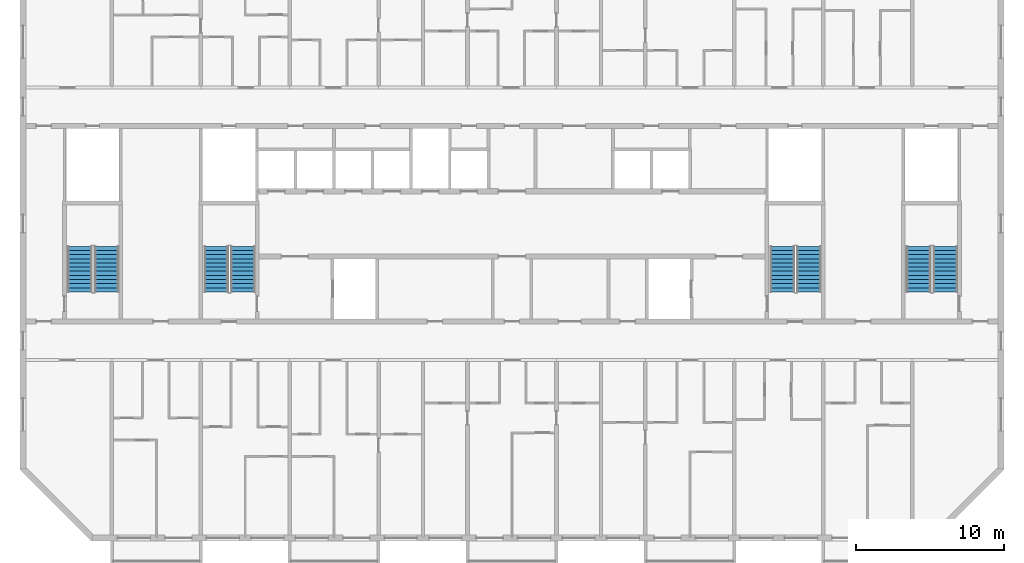
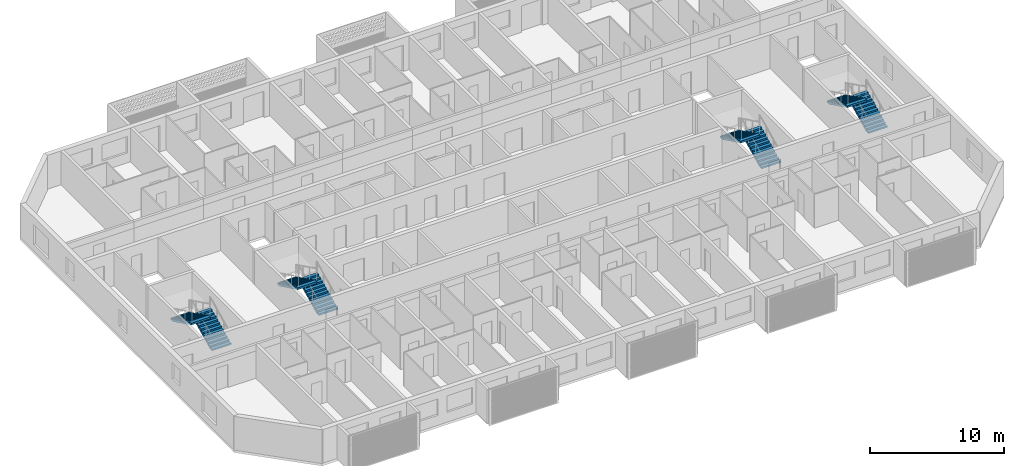
# One storey, part 11 of 26: 8 stair flights, 4 elements without a shape of their own.
"""IFC4 building model written with IfcOpenShell, lengths in metres."""

from ifc_helpers import new_model, si_unit, direction, frame, origin, place, context, subcontext, project, spatial, polyline, outline, extrude, material, layer, layer_set, type_object, element, aggregate, save


model = new_model("IFC4")

# Units and contexts
model_context = context("Model", 3, precision=1e-05, world=origin(), true_north=direction((0.0, 1.0)))
body_context = subcontext(model_context, "Body", "Model", "MODEL_VIEW")
ifc_project = project(units=[si_unit("LENGTHUNIT", "METRE"), si_unit("AREAUNIT", "SQUARE_METRE"), si_unit("VOLUMEUNIT", "CUBIC_METRE"), si_unit("PLANEANGLEUNIT", "RADIAN"), si_unit("MASSUNIT", "GRAM", prefix="KILO")], contexts=[model_context])

# Site, building, storey
site_placement = place(None, origin())
site = spatial("IfcSite", under=ifc_project, at=site_placement, CompositionType="ELEMENT")
building_placement = place(site_placement, origin())
building = spatial("IfcBuilding", under=site, at=building_placement, Name="Poui Terraces", CompositionType="ELEMENT")
storey_placement = place(building_placement, frame((0.0, 0.0, 228.0)))
storey = spatial("IfcBuildingStorey", under=building, at=storey_placement, Name="L63", CompositionType="ELEMENT", Elevation=228.0)

# Stair, stair flights
ifc_material = material(Name="Concrete 50 MPa", Category="concrete")
stair_type = type_object("IfcStairType", Name="EXIT STAIR 1650 50 MPA", PredefinedType="HALF_TURN_STAIR", material=ifc_material)
stair_1_placement = place(storey_placement, origin())
stair_1 = element("IfcStair", 1, at=stair_1_placement, inside=storey, type_object=stair_type, Name="L63 CORE STAIR EAST", PredefinedType="HALF_TURN_STAIR")
ifc_layer = layer(ifc_material, 0.14990234375)
ifc_layer_set = layer_set([ifc_layer], Name="Concrete 50 MPa")
stair_flight_type = type_object("IfcStairFlightType", Name="STAIR FLIGHT 12 RISERS 138 RISE 50 MPA", PredefinedType="STRAIGHT", material=ifc_layer_set)
stair_flight_1_placement = place(storey_placement, frame((71.050048828125, 16.60009765625, 0.0), z_axis=(0.0, 0.0, 1.0), x_axis=(0.0, 1.0, 0.0)))
stair_flight_1 = element("IfcStairFlight", 2, at=stair_flight_1_placement, type_object=stair_flight_type, Name="ST-CE flight 1", NumberOfRisers=12, NumberOfTreads=11, PredefinedType="STRAIGHT", RiserHeight=0.1375, TreadLength=0.28, context=body_context, shape_type="SweptSolid", body=[
    extrude(outline(polyline([(0.0, 0.0), (0.0, 0.137451171875), (0.280029296875, 0.137451171875), (0.280029296875, 0.27490234375), (0.56005859375, 0.27490234375), (0.56005859375, 0.41259765625), (0.840087890625, 0.41259765625), (0.840087890625, 0.550048828125), (1.1201171875, 0.550048828125), (1.1201171875, 0.6875), (1.39990234375, 0.6875), (1.39990234375, 0.824951171875), (1.679931640625, 0.824951171875), (1.679931640625, 0.96240234375), (1.9599609375, 0.96240234375), (1.9599609375, 1.10009765625), (2.239990234375, 1.10009765625), (2.239990234375, 1.237548828125), (2.52001953125, 1.237548828125), (2.52001953125, 1.375), (2.800048828125, 1.375), (2.800048828125, 1.512451171875), (3.080078125, 1.512451171875), (3.080078125, 1.64990234375), (3.080078125, 1.345458984375), (0.340087890625, 0.0), (0.0, 0.0)])), frame((0.0, 0.824951171875, 0.0), z_axis=(0.0, -1.0, 0.0), x_axis=(1.0, 0.0, 0.0)), (0.0, 0.0, 1.0), 1.64990234375),
])
stair_flight_2_placement = place(storey_placement, frame((69.25, 19.679931640625, 1.64990234375), z_axis=(0.0, 0.0, 1.0), x_axis=(0.0, -1.0, 0.0)))
stair_flight_2 = element("IfcStairFlight", 3, at=stair_flight_2_placement, type_object=stair_flight_type, Name="ST-CE flight 2", NumberOfRisers=12, NumberOfTreads=11, PredefinedType="STRAIGHT", RiserHeight=0.1375, TreadLength=0.28, context=body_context, shape_type="SweptSolid", body=[
    extrude(outline(polyline([(0.0, 0.0), (0.0, 0.137451171875), (0.280029296875, 0.137451171875), (0.280029296875, 0.27490234375), (0.56005859375, 0.27490234375), (0.56005859375, 0.41259765625), (0.840087890625, 0.41259765625), (0.840087890625, 0.550048828125), (1.1201171875, 0.550048828125), (1.1201171875, 0.6875), (1.39990234375, 0.6875), (1.39990234375, 0.824951171875), (1.679931640625, 0.824951171875), (1.679931640625, 0.96240234375), (1.9599609375, 0.96240234375), (1.9599609375, 1.10009765625), (2.239990234375, 1.10009765625), (2.239990234375, 1.237548828125), (2.52001953125, 1.237548828125), (2.52001953125, 1.375), (2.800048828125, 1.375), (2.800048828125, 1.512451171875), (3.080078125, 1.512451171875), (3.080078125, 1.64990234375), (3.080078125, 1.345458984375), (0.340087890625, 0.0), (0.0, 0.0)])), frame((0.0, 0.824951171875, 0.0), z_axis=(0.0, -1.0, 0.0), x_axis=(1.0, 0.0, 0.0)), (0.0, 0.0, 1.0), 1.64990234375),
])
aggregate(stair_1, [stair_flight_1, stair_flight_2])

stair_2_placement = place(storey_placement, origin())
stair_2 = element("IfcStair", 4, at=stair_2_placement, inside=storey, type_object=stair_type, Name="L63 CORE STAIR WEST", PredefinedType="HALF_TURN_STAIR")
stair_flight_3_placement = place(storey_placement, frame((32.85009765625, 16.60009765625, 0.0), z_axis=(0.0, 0.0, 1.0), x_axis=(0.0, 1.0, 0.0)))
stair_flight_3 = element("IfcStairFlight", 5, at=stair_flight_3_placement, type_object=stair_flight_type, Name="ST-CW flight 1", NumberOfRisers=12, NumberOfTreads=11, PredefinedType="STRAIGHT", RiserHeight=0.1375, TreadLength=0.28, context=body_context, shape_type="SweptSolid", body=[
    extrude(outline(polyline([(0.0, 0.0), (0.0, 0.137451171875), (0.280029296875, 0.137451171875), (0.280029296875, 0.27490234375), (0.56005859375, 0.27490234375), (0.56005859375, 0.41259765625), (0.840087890625, 0.41259765625), (0.840087890625, 0.550048828125), (1.1201171875, 0.550048828125), (1.1201171875, 0.6875), (1.39990234375, 0.6875), (1.39990234375, 0.824951171875), (1.679931640625, 0.824951171875), (1.679931640625, 0.96240234375), (1.9599609375, 0.96240234375), (1.9599609375, 1.10009765625), (2.239990234375, 1.10009765625), (2.239990234375, 1.237548828125), (2.52001953125, 1.237548828125), (2.52001953125, 1.375), (2.800048828125, 1.375), (2.800048828125, 1.512451171875), (3.080078125, 1.512451171875), (3.080078125, 1.64990234375), (3.080078125, 1.345458984375), (0.340087890625, 0.0), (0.0, 0.0)])), frame((0.0, 0.824951171875, 0.0), z_axis=(0.0, -1.0, 0.0), x_axis=(1.0, 0.0, 0.0)), (0.0, 0.0, 1.0), 1.64990234375),
])
stair_flight_4_placement = place(storey_placement, frame((31.050048828125, 19.679931640625, 1.64990234375), z_axis=(0.0, 0.0, 1.0), x_axis=(0.0, -1.0, 0.0)))
stair_flight_4 = element("IfcStairFlight", 6, at=stair_flight_4_placement, type_object=stair_flight_type, Name="ST-CW flight 2", NumberOfRisers=12, NumberOfTreads=11, PredefinedType="STRAIGHT", RiserHeight=0.1375, TreadLength=0.28, context=body_context, shape_type="SweptSolid", body=[
    extrude(outline(polyline([(0.0, 0.0), (0.0, 0.137451171875), (0.280029296875, 0.137451171875), (0.280029296875, 0.27490234375), (0.56005859375, 0.27490234375), (0.56005859375, 0.41259765625), (0.840087890625, 0.41259765625), (0.840087890625, 0.550048828125), (1.1201171875, 0.550048828125), (1.1201171875, 0.6875), (1.39990234375, 0.6875), (1.39990234375, 0.824951171875), (1.679931640625, 0.824951171875), (1.679931640625, 0.96240234375), (1.9599609375, 0.96240234375), (1.9599609375, 1.10009765625), (2.239990234375, 1.10009765625), (2.239990234375, 1.237548828125), (2.52001953125, 1.237548828125), (2.52001953125, 1.375), (2.800048828125, 1.375), (2.800048828125, 1.512451171875), (3.080078125, 1.512451171875), (3.080078125, 1.64990234375), (3.080078125, 1.345458984375), (0.340087890625, 0.0), (0.0, 0.0)])), frame((0.0, 0.824951171875, 0.0), z_axis=(0.0, -1.0, 0.0), x_axis=(1.0, 0.0, 0.0)), (0.0, 0.0, 1.0), 1.64990234375),
])
aggregate(stair_2, [stair_flight_3, stair_flight_4])

stair_3_placement = place(storey_placement, origin())
stair_3 = element("IfcStair", 7, at=stair_3_placement, inside=storey, type_object=stair_type, Name="L63 TIP STAIR EAST", PredefinedType="HALF_TURN_STAIR")
stair_flight_5_placement = place(storey_placement, frame((80.25, 16.60009765625, 0.0), z_axis=(0.0, 0.0, 1.0), x_axis=(0.0, 1.0, 0.0)))
stair_flight_5 = element("IfcStairFlight", 8, at=stair_flight_5_placement, type_object=stair_flight_type, Name="ST-E flight 1", NumberOfRisers=12, NumberOfTreads=11, PredefinedType="STRAIGHT", RiserHeight=0.1375, TreadLength=0.28, context=body_context, shape_type="SweptSolid", body=[
    extrude(outline(polyline([(0.0, 0.0), (0.0, 0.137451171875), (0.280029296875, 0.137451171875), (0.280029296875, 0.27490234375), (0.56005859375, 0.27490234375), (0.56005859375, 0.41259765625), (0.840087890625, 0.41259765625), (0.840087890625, 0.550048828125), (1.1201171875, 0.550048828125), (1.1201171875, 0.6875), (1.39990234375, 0.6875), (1.39990234375, 0.824951171875), (1.679931640625, 0.824951171875), (1.679931640625, 0.96240234375), (1.9599609375, 0.96240234375), (1.9599609375, 1.10009765625), (2.239990234375, 1.10009765625), (2.239990234375, 1.237548828125), (2.52001953125, 1.237548828125), (2.52001953125, 1.375), (2.800048828125, 1.375), (2.800048828125, 1.512451171875), (3.080078125, 1.512451171875), (3.080078125, 1.64990234375), (3.080078125, 1.345458984375), (0.340087890625, 0.0), (0.0, 0.0)])), frame((0.0, 0.824951171875, 0.0), z_axis=(0.0, -1.0, 0.0), x_axis=(1.0, 0.0, 0.0)), (0.0, 0.0, 1.0), 1.64990234375),
])
stair_flight_6_placement = place(storey_placement, frame((78.449951171875, 19.679931640625, 1.64990234375), z_axis=(0.0, 0.0, 1.0), x_axis=(0.0, -1.0, 0.0)))
stair_flight_6 = element("IfcStairFlight", 9, at=stair_flight_6_placement, type_object=stair_flight_type, Name="ST-E flight 2", NumberOfRisers=12, NumberOfTreads=11, PredefinedType="STRAIGHT", RiserHeight=0.1375, TreadLength=0.28, context=body_context, shape_type="SweptSolid", body=[
    extrude(outline(polyline([(0.0, 0.0), (0.0, 0.137451171875), (0.280029296875, 0.137451171875), (0.280029296875, 0.27490234375), (0.56005859375, 0.27490234375), (0.56005859375, 0.41259765625), (0.840087890625, 0.41259765625), (0.840087890625, 0.550048828125), (1.1201171875, 0.550048828125), (1.1201171875, 0.6875), (1.39990234375, 0.6875), (1.39990234375, 0.824951171875), (1.679931640625, 0.824951171875), (1.679931640625, 0.96240234375), (1.9599609375, 0.96240234375), (1.9599609375, 1.10009765625), (2.239990234375, 1.10009765625), (2.239990234375, 1.237548828125), (2.52001953125, 1.237548828125), (2.52001953125, 1.375), (2.800048828125, 1.375), (2.800048828125, 1.512451171875), (3.080078125, 1.512451171875), (3.080078125, 1.64990234375), (3.080078125, 1.345458984375), (0.340087890625, 0.0), (0.0, 0.0)])), frame((0.0, 0.824951171875, 0.0), z_axis=(0.0, -1.0, 0.0), x_axis=(1.0, 0.0, 0.0)), (0.0, 0.0, 1.0), 1.64990234375),
])
aggregate(stair_3, [stair_flight_5, stair_flight_6])

stair_4_placement = place(storey_placement, origin())
stair_4 = element("IfcStair", 10, at=stair_4_placement, inside=storey, type_object=stair_type, Name="L63 TIP STAIR WEST", PredefinedType="HALF_TURN_STAIR")
stair_flight_7_placement = place(storey_placement, frame((23.64990234375, 16.60009765625, 0.0), z_axis=(0.0, 0.0, 1.0), x_axis=(0.0, 1.0, 0.0)))
stair_flight_7 = element("IfcStairFlight", 11, at=stair_flight_7_placement, type_object=stair_flight_type, Name="ST-W flight 1", NumberOfRisers=12, NumberOfTreads=11, PredefinedType="STRAIGHT", RiserHeight=0.1375, TreadLength=0.28, context=body_context, shape_type="SweptSolid", body=[
    extrude(outline(polyline([(0.0, 0.0), (0.0, 0.137451171875), (0.280029296875, 0.137451171875), (0.280029296875, 0.27490234375), (0.56005859375, 0.27490234375), (0.56005859375, 0.41259765625), (0.840087890625, 0.41259765625), (0.840087890625, 0.550048828125), (1.1201171875, 0.550048828125), (1.1201171875, 0.6875), (1.39990234375, 0.6875), (1.39990234375, 0.824951171875), (1.679931640625, 0.824951171875), (1.679931640625, 0.96240234375), (1.9599609375, 0.96240234375), (1.9599609375, 1.10009765625), (2.239990234375, 1.10009765625), (2.239990234375, 1.237548828125), (2.52001953125, 1.237548828125), (2.52001953125, 1.375), (2.800048828125, 1.375), (2.800048828125, 1.512451171875), (3.080078125, 1.512451171875), (3.080078125, 1.64990234375), (3.080078125, 1.345458984375), (0.340087890625, 0.0), (0.0, 0.0)])), frame((0.0, 0.824951171875, 0.0), z_axis=(0.0, -1.0, 0.0), x_axis=(1.0, 0.0, 0.0)), (0.0, 0.0, 1.0), 1.64990234375),
])
stair_flight_8_placement = place(storey_placement, frame((21.85009765625, 19.679931640625, 1.64990234375), z_axis=(0.0, 0.0, 1.0), x_axis=(0.0, -1.0, 0.0)))
stair_flight_8 = element("IfcStairFlight", 12, at=stair_flight_8_placement, type_object=stair_flight_type, Name="ST-W flight 2", NumberOfRisers=12, NumberOfTreads=11, PredefinedType="STRAIGHT", RiserHeight=0.1375, TreadLength=0.28, context=body_context, shape_type="SweptSolid", body=[
    extrude(outline(polyline([(0.0, 0.0), (0.0, 0.137451171875), (0.280029296875, 0.137451171875), (0.280029296875, 0.27490234375), (0.56005859375, 0.27490234375), (0.56005859375, 0.41259765625), (0.840087890625, 0.41259765625), (0.840087890625, 0.550048828125), (1.1201171875, 0.550048828125), (1.1201171875, 0.6875), (1.39990234375, 0.6875), (1.39990234375, 0.824951171875), (1.679931640625, 0.824951171875), (1.679931640625, 0.96240234375), (1.9599609375, 0.96240234375), (1.9599609375, 1.10009765625), (2.239990234375, 1.10009765625), (2.239990234375, 1.237548828125), (2.52001953125, 1.237548828125), (2.52001953125, 1.375), (2.800048828125, 1.375), (2.800048828125, 1.512451171875), (3.080078125, 1.512451171875), (3.080078125, 1.64990234375), (3.080078125, 1.345458984375), (0.340087890625, 0.0), (0.0, 0.0)])), frame((0.0, 0.824951171875, 0.0), z_axis=(0.0, -1.0, 0.0), x_axis=(1.0, 0.0, 0.0)), (0.0, 0.0, 1.0), 1.64990234375),
])
aggregate(stair_4, [stair_flight_7, stair_flight_8])

save(model, "model.ifc")
